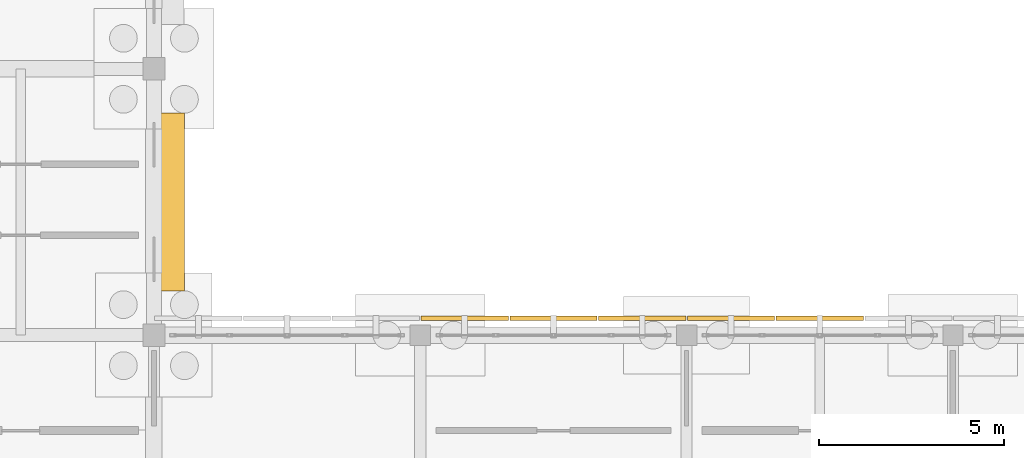
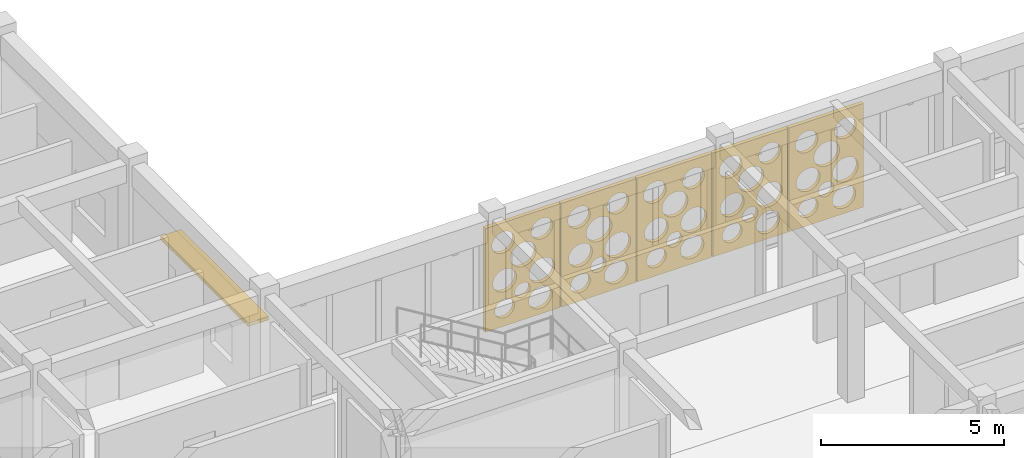
# One storey, part 103 of 111: 5 coverings, 1 shading device.
"""IFC4 building model written with IfcOpenShell, lengths in metres."""

from ifc_helpers import new_model, si_unit, direction, frame, origin, origin_2d, place, context, subcontext, project, spatial, polyline, rectangle, outline, extrude, material, layer, layer_set, type_object, element, save


model = new_model("IFC4")

# Units and contexts
model_context = context("Model", 3, precision=1e-05, world=origin(), true_north=direction((0.0, 1.0)))
body_context = subcontext(model_context, "Body", "Model", "MODEL_VIEW")
ifc_project = project(units=[si_unit("LENGTHUNIT", "METRE"), si_unit("AREAUNIT", "SQUARE_METRE"), si_unit("VOLUMEUNIT", "CUBIC_METRE"), si_unit("PLANEANGLEUNIT", "RADIAN"), si_unit("MASSUNIT", "GRAM", prefix="KILO")], contexts=[model_context])

# Site, building, storey
site_placement = place(None, origin())
site = spatial("IfcSite", under=ifc_project, at=site_placement, CompositionType="ELEMENT")
building_placement = place(site_placement, origin())
building = spatial("IfcBuilding", under=site, at=building_placement, Name="Aldebral Square Health Centre", CompositionType="ELEMENT")
storey_placement = place(building_placement, origin())
storey = spatial("IfcBuildingStorey", under=building, at=storey_placement, Name="L00", CompositionType="ELEMENT", Elevation=0.0)

# Coverings
ifc_material_1 = material(Name="Cream cantera perforated stone screen", Category="masonry")
ifc_layer = layer(ifc_material_1, 0.1201171875, Name="Cream cantera perforated stone screen", Category="masonry")
ifc_layer_set = layer_set([ifc_layer], Name="Cream cantera perforated stone screen")
covering_type = type_object("IfcCoveringType", Name="COV-SCR-120", PredefinedType="CLADDING", material=ifc_layer_set)
covering_1_placement = place(storey_placement, frame((79.179931640625, 101.260009765625, 0.0), z_axis=(0.0, 0.0, 1.0), x_axis=(-1.0, 0.0, 0.0)))
element("IfcCovering", 1, at=covering_1_placement, inside=storey, type_object=covering_type, Name="L00 V1 circular-aperture stone screen L00-V1-10-13-N.1", PredefinedType="CLADDING", context=body_context, shape_type="SweptSolid", body=[
    extrude(outline(polyline([(0.0, 0.0), (2.35986328125, 0.0), (2.35986328125, 3.469970703125), (0.0, 3.469970703125), (0.0, 0.0)]), holes=[polyline([(0.98486328125, 0.55517578125), (0.966552734375, 0.4404296875), (0.913818359375, 0.3369140625), (0.831787109375, 0.2548828125), (0.728271484375, 0.2021484375), (0.613525390625, 0.18408203125), (0.498779296875, 0.2021484375), (0.3955078125, 0.2548828125), (0.313232421875, 0.3369140625), (0.260498046875, 0.4404296875), (0.242431640625, 0.55517578125), (0.260498046875, 0.669921875), (0.313232421875, 0.7734375), (0.3955078125, 0.85546875), (0.498779296875, 0.908203125), (0.613525390625, 0.926513671875), (0.728271484375, 0.908203125), (0.831787109375, 0.85546875), (0.913818359375, 0.7734375), (0.966552734375, 0.669921875), (0.98486328125, 0.55517578125)]), polyline([(2.059326171875, 0.58984375), (2.0439453125, 0.4931640625), (1.99951171875, 0.406005859375), (1.930419921875, 0.336669921875), (1.843017578125, 0.292236328125), (1.746337890625, 0.277099609375), (1.649658203125, 0.292236328125), (1.5625, 0.336669921875), (1.4931640625, 0.406005859375), (1.44873046875, 0.4931640625), (1.43359375, 0.58984375), (1.44873046875, 0.6865234375), (1.4931640625, 0.77392578125), (1.5625, 0.843017578125), (1.649658203125, 0.887451171875), (1.746337890625, 0.90283203125), (1.843017578125, 0.887451171875), (1.930419921875, 0.843017578125), (1.99951171875, 0.77392578125), (2.0439453125, 0.6865234375), (2.059326171875, 0.58984375)]), polyline([(0.970703125, 1.45751953125), (0.950927734375, 1.33251953125), (0.8935546875, 1.2197265625), (0.803955078125, 1.13037109375), (0.69140625, 1.072998046875), (0.56640625, 1.052978515625), (0.44140625, 1.072998046875), (0.328857421875, 1.13037109375), (0.2392578125, 1.2197265625), (0.181884765625, 1.33251953125), (0.162109375, 1.45751953125), (0.181884765625, 1.582275390625), (0.2392578125, 1.695068359375), (0.328857421875, 1.784423828125), (0.44140625, 1.841796875), (0.56640625, 1.86181640625), (0.69140625, 1.841796875), (0.803955078125, 1.784423828125), (0.8935546875, 1.695068359375), (0.950927734375, 1.582275390625), (0.970703125, 1.45751953125)]), polyline([(2.124267578125, 1.52685546875), (2.105712890625, 1.41015625), (2.052001953125, 1.3046875), (1.968505859375, 1.22119140625), (1.863037109375, 1.16748046875), (1.746337890625, 1.14892578125), (1.629638671875, 1.16748046875), (1.5244140625, 1.22119140625), (1.440673828125, 1.3046875), (1.38720703125, 1.41015625), (1.36865234375, 1.52685546875), (1.38720703125, 1.6435546875), (1.440673828125, 1.748779296875), (1.5244140625, 1.83251953125), (1.629638671875, 1.88623046875), (1.746337890625, 1.904541015625), (1.863037109375, 1.88623046875), (1.968505859375, 1.83251953125), (2.052001953125, 1.748779296875), (2.105712890625, 1.6435546875), (2.124267578125, 1.52685546875)]), polyline([(1.42431640625, 1.00634765625), (1.412353515625, 0.9306640625), (1.377685546875, 0.862548828125), (1.32373046875, 0.80859375), (1.255615234375, 0.77392578125), (1.179931640625, 0.761962890625), (1.1044921875, 0.77392578125), (1.036376953125, 0.80859375), (0.982177734375, 0.862548828125), (0.947509765625, 0.9306640625), (0.935546875, 1.00634765625), (0.947509765625, 1.081787109375), (0.982177734375, 1.14990234375), (1.036376953125, 1.2041015625), (1.1044921875, 1.23876953125), (1.179931640625, 1.250732421875), (1.255615234375, 1.23876953125), (1.32373046875, 1.2041015625), (1.377685546875, 1.14990234375), (1.412353515625, 1.081787109375), (1.42431640625, 1.00634765625)]), polyline([(1.563232421875, 2.18603515625), (1.54345703125, 2.060302734375), (1.485595703125, 1.947021484375), (1.3955078125, 1.85693359375), (1.2822265625, 1.799072265625), (1.156494140625, 1.779296875), (1.03076171875, 1.799072265625), (0.917236328125, 1.85693359375), (0.8271484375, 1.947021484375), (0.76953125, 2.060302734375), (0.74951171875, 2.18603515625), (0.76953125, 2.311767578125), (0.8271484375, 2.42529296875), (0.917236328125, 2.515380859375), (1.03076171875, 2.572998046875), (1.156494140625, 2.593017578125), (1.2822265625, 2.572998046875), (1.3955078125, 2.515380859375), (1.485595703125, 2.42529296875), (1.54345703125, 2.311767578125), (1.563232421875, 2.18603515625)]), polyline([(0.9091796875, 2.845458984375), (0.892333984375, 2.739501953125), (0.84375, 2.64404296875), (0.767822265625, 2.568115234375), (0.67236328125, 2.51953125), (0.56640625, 2.502685546875), (0.46044921875, 2.51953125), (0.364990234375, 2.568115234375), (0.2890625, 2.64404296875), (0.240478515625, 2.739501953125), (0.2236328125, 2.845458984375), (0.240478515625, 2.951416015625), (0.2890625, 3.046875), (0.364990234375, 3.12255859375), (0.46044921875, 3.17138671875), (0.56640625, 3.18798828125), (0.67236328125, 3.17138671875), (0.767822265625, 3.12255859375), (0.84375, 3.046875), (0.892333984375, 2.951416015625), (0.9091796875, 2.845458984375)]), polyline([(2.1513671875, 2.810791015625), (2.1337890625, 2.7001953125), (2.0830078125, 2.600341796875), (2.00390625, 2.521240234375), (1.904052734375, 2.470458984375), (1.793701171875, 2.452880859375), (1.68310546875, 2.470458984375), (1.583251953125, 2.521240234375), (1.504150390625, 2.600341796875), (1.453369140625, 2.7001953125), (1.435791015625, 2.810791015625), (1.453369140625, 2.921142578125), (1.504150390625, 3.02099609375), (1.583251953125, 3.10009765625), (1.68310546875, 3.15087890625), (1.793701171875, 3.16845703125), (1.904052734375, 3.15087890625), (2.00390625, 3.10009765625), (2.0830078125, 3.02099609375), (2.1337890625, 2.921142578125), (2.1513671875, 2.810791015625)])]), frame((0.0, 0.06005859375, 0.0), z_axis=(0.0, -1.0, 0.0), x_axis=(1.0, 0.0, 0.0)), (0.0, 0.0, 1.0), 0.1201171875),
])
covering_2_placement = place(storey_placement, frame((76.780029296875, 101.260009765625, 0.0), z_axis=(0.0, 0.0, 1.0), x_axis=(-1.0, 0.0, 0.0)))
element("IfcCovering", 2, at=covering_2_placement, inside=storey, type_object=covering_type, Name="L00 V1 circular-aperture stone screen L00-V1-10-13-N.2", PredefinedType="CLADDING", context=body_context, shape_type="SweptSolid", body=[
    extrude(outline(polyline([(0.0, 0.0), (2.360107421875, 0.0), (2.360107421875, 3.469970703125), (0.0, 3.469970703125), (0.0, 0.0)]), holes=[polyline([(0.98486328125, 0.55517578125), (0.966552734375, 0.4404296875), (0.913818359375, 0.3369140625), (0.831787109375, 0.2548828125), (0.728271484375, 0.2021484375), (0.613525390625, 0.18408203125), (0.498779296875, 0.2021484375), (0.3955078125, 0.2548828125), (0.313232421875, 0.3369140625), (0.260498046875, 0.4404296875), (0.242431640625, 0.55517578125), (0.260498046875, 0.669921875), (0.313232421875, 0.7734375), (0.3955078125, 0.85546875), (0.498779296875, 0.908203125), (0.613525390625, 0.926513671875), (0.728271484375, 0.908203125), (0.831787109375, 0.85546875), (0.913818359375, 0.7734375), (0.966552734375, 0.669921875), (0.98486328125, 0.55517578125)]), polyline([(2.059326171875, 0.58984375), (2.0439453125, 0.4931640625), (1.99951171875, 0.406005859375), (1.930419921875, 0.336669921875), (1.843017578125, 0.292236328125), (1.746337890625, 0.277099609375), (1.649658203125, 0.292236328125), (1.5625, 0.336669921875), (1.4931640625, 0.406005859375), (1.44873046875, 0.4931640625), (1.43359375, 0.58984375), (1.44873046875, 0.6865234375), (1.4931640625, 0.77392578125), (1.5625, 0.843017578125), (1.649658203125, 0.887451171875), (1.746337890625, 0.90283203125), (1.843017578125, 0.887451171875), (1.930419921875, 0.843017578125), (1.99951171875, 0.77392578125), (2.0439453125, 0.6865234375), (2.059326171875, 0.58984375)]), polyline([(0.970703125, 1.45751953125), (0.950927734375, 1.33251953125), (0.8935546875, 1.2197265625), (0.803955078125, 1.13037109375), (0.69140625, 1.072998046875), (0.56640625, 1.052978515625), (0.44140625, 1.072998046875), (0.328857421875, 1.13037109375), (0.2392578125, 1.2197265625), (0.181884765625, 1.33251953125), (0.162109375, 1.45751953125), (0.181884765625, 1.582275390625), (0.2392578125, 1.695068359375), (0.328857421875, 1.784423828125), (0.44140625, 1.841796875), (0.56640625, 1.86181640625), (0.69140625, 1.841796875), (0.803955078125, 1.784423828125), (0.8935546875, 1.695068359375), (0.950927734375, 1.582275390625), (0.970703125, 1.45751953125)]), polyline([(2.124267578125, 1.52685546875), (2.105712890625, 1.41015625), (2.052001953125, 1.3046875), (1.968505859375, 1.22119140625), (1.863037109375, 1.16748046875), (1.746337890625, 1.14892578125), (1.629638671875, 1.16748046875), (1.5244140625, 1.22119140625), (1.440673828125, 1.3046875), (1.38720703125, 1.41015625), (1.36865234375, 1.52685546875), (1.38720703125, 1.6435546875), (1.440673828125, 1.748779296875), (1.5244140625, 1.83251953125), (1.629638671875, 1.88623046875), (1.746337890625, 1.904541015625), (1.863037109375, 1.88623046875), (1.968505859375, 1.83251953125), (2.052001953125, 1.748779296875), (2.105712890625, 1.6435546875), (2.124267578125, 1.52685546875)]), polyline([(1.42431640625, 1.00634765625), (1.412353515625, 0.9306640625), (1.377685546875, 0.862548828125), (1.32373046875, 0.80859375), (1.255615234375, 0.77392578125), (1.179931640625, 0.761962890625), (1.1044921875, 0.77392578125), (1.036376953125, 0.80859375), (0.982177734375, 0.862548828125), (0.947509765625, 0.9306640625), (0.935546875, 1.00634765625), (0.947509765625, 1.081787109375), (0.982177734375, 1.14990234375), (1.036376953125, 1.2041015625), (1.1044921875, 1.23876953125), (1.179931640625, 1.250732421875), (1.255615234375, 1.23876953125), (1.32373046875, 1.2041015625), (1.377685546875, 1.14990234375), (1.412353515625, 1.081787109375), (1.42431640625, 1.00634765625)]), polyline([(1.563232421875, 2.18603515625), (1.54345703125, 2.060302734375), (1.485595703125, 1.947021484375), (1.3955078125, 1.85693359375), (1.2822265625, 1.799072265625), (1.156494140625, 1.779296875), (1.03076171875, 1.799072265625), (0.917236328125, 1.85693359375), (0.8271484375, 1.947021484375), (0.76953125, 2.060302734375), (0.74951171875, 2.18603515625), (0.76953125, 2.311767578125), (0.8271484375, 2.42529296875), (0.917236328125, 2.515380859375), (1.03076171875, 2.572998046875), (1.156494140625, 2.593017578125), (1.2822265625, 2.572998046875), (1.3955078125, 2.515380859375), (1.485595703125, 2.42529296875), (1.54345703125, 2.311767578125), (1.563232421875, 2.18603515625)]), polyline([(0.9091796875, 2.845458984375), (0.892333984375, 2.739501953125), (0.84375, 2.64404296875), (0.767822265625, 2.568115234375), (0.67236328125, 2.51953125), (0.56640625, 2.502685546875), (0.46044921875, 2.51953125), (0.364990234375, 2.568115234375), (0.2890625, 2.64404296875), (0.240478515625, 2.739501953125), (0.2236328125, 2.845458984375), (0.240478515625, 2.951416015625), (0.2890625, 3.046875), (0.364990234375, 3.12255859375), (0.46044921875, 3.17138671875), (0.56640625, 3.18798828125), (0.67236328125, 3.17138671875), (0.767822265625, 3.12255859375), (0.84375, 3.046875), (0.892333984375, 2.951416015625), (0.9091796875, 2.845458984375)]), polyline([(2.1513671875, 2.810791015625), (2.1337890625, 2.7001953125), (2.0830078125, 2.600341796875), (2.00390625, 2.521240234375), (1.904052734375, 2.470458984375), (1.793701171875, 2.452880859375), (1.68310546875, 2.470458984375), (1.583251953125, 2.521240234375), (1.504150390625, 2.600341796875), (1.453369140625, 2.7001953125), (1.435791015625, 2.810791015625), (1.453369140625, 2.921142578125), (1.504150390625, 3.02099609375), (1.583251953125, 3.10009765625), (1.68310546875, 3.15087890625), (1.793701171875, 3.16845703125), (1.904052734375, 3.15087890625), (2.00390625, 3.10009765625), (2.0830078125, 3.02099609375), (2.1337890625, 2.921142578125), (2.1513671875, 2.810791015625)])]), frame((0.0, 0.06005859375, 0.0), z_axis=(0.0, -1.0, 0.0), x_axis=(1.0, 0.0, 0.0)), (0.0, 0.0, 1.0), 0.1201171875),
])
covering_3_placement = place(storey_placement, frame((74.3798828125, 101.260009765625, 0.0), z_axis=(0.0, 0.0, 1.0), x_axis=(-1.0, 0.0, 0.0)))
element("IfcCovering", 3, at=covering_3_placement, inside=storey, type_object=covering_type, Name="L00 V1 circular-aperture stone screen L00-V1-10-13-N.3", PredefinedType="CLADDING", context=body_context, shape_type="SweptSolid", body=[
    extrude(outline(polyline([(0.0, 0.0), (2.35986328125, 0.0), (2.35986328125, 3.469970703125), (0.0, 3.469970703125), (0.0, 0.0)]), holes=[polyline([(0.98486328125, 0.55517578125), (0.966552734375, 0.4404296875), (0.913818359375, 0.3369140625), (0.831787109375, 0.2548828125), (0.728271484375, 0.2021484375), (0.613525390625, 0.18408203125), (0.498779296875, 0.2021484375), (0.3955078125, 0.2548828125), (0.313232421875, 0.3369140625), (0.260498046875, 0.4404296875), (0.242431640625, 0.55517578125), (0.260498046875, 0.669921875), (0.313232421875, 0.7734375), (0.3955078125, 0.85546875), (0.498779296875, 0.908203125), (0.613525390625, 0.926513671875), (0.728271484375, 0.908203125), (0.831787109375, 0.85546875), (0.913818359375, 0.7734375), (0.966552734375, 0.669921875), (0.98486328125, 0.55517578125)]), polyline([(2.059326171875, 0.58984375), (2.0439453125, 0.4931640625), (1.99951171875, 0.406005859375), (1.930419921875, 0.336669921875), (1.843017578125, 0.292236328125), (1.746337890625, 0.277099609375), (1.649658203125, 0.292236328125), (1.5625, 0.336669921875), (1.4931640625, 0.406005859375), (1.44873046875, 0.4931640625), (1.43359375, 0.58984375), (1.44873046875, 0.6865234375), (1.4931640625, 0.77392578125), (1.5625, 0.843017578125), (1.649658203125, 0.887451171875), (1.746337890625, 0.90283203125), (1.843017578125, 0.887451171875), (1.930419921875, 0.843017578125), (1.99951171875, 0.77392578125), (2.0439453125, 0.6865234375), (2.059326171875, 0.58984375)]), polyline([(0.970703125, 1.45751953125), (0.950927734375, 1.33251953125), (0.8935546875, 1.2197265625), (0.803955078125, 1.13037109375), (0.69140625, 1.072998046875), (0.56640625, 1.052978515625), (0.44140625, 1.072998046875), (0.328857421875, 1.13037109375), (0.2392578125, 1.2197265625), (0.181884765625, 1.33251953125), (0.162109375, 1.45751953125), (0.181884765625, 1.582275390625), (0.2392578125, 1.695068359375), (0.328857421875, 1.784423828125), (0.44140625, 1.841796875), (0.56640625, 1.86181640625), (0.69140625, 1.841796875), (0.803955078125, 1.784423828125), (0.8935546875, 1.695068359375), (0.950927734375, 1.582275390625), (0.970703125, 1.45751953125)]), polyline([(2.124267578125, 1.52685546875), (2.105712890625, 1.41015625), (2.052001953125, 1.3046875), (1.968505859375, 1.22119140625), (1.863037109375, 1.16748046875), (1.746337890625, 1.14892578125), (1.629638671875, 1.16748046875), (1.5244140625, 1.22119140625), (1.440673828125, 1.3046875), (1.38720703125, 1.41015625), (1.36865234375, 1.52685546875), (1.38720703125, 1.6435546875), (1.440673828125, 1.748779296875), (1.5244140625, 1.83251953125), (1.629638671875, 1.88623046875), (1.746337890625, 1.904541015625), (1.863037109375, 1.88623046875), (1.968505859375, 1.83251953125), (2.052001953125, 1.748779296875), (2.105712890625, 1.6435546875), (2.124267578125, 1.52685546875)]), polyline([(1.42431640625, 1.00634765625), (1.412353515625, 0.9306640625), (1.377685546875, 0.862548828125), (1.32373046875, 0.80859375), (1.255615234375, 0.77392578125), (1.179931640625, 0.761962890625), (1.1044921875, 0.77392578125), (1.036376953125, 0.80859375), (0.982177734375, 0.862548828125), (0.947509765625, 0.9306640625), (0.935546875, 1.00634765625), (0.947509765625, 1.081787109375), (0.982177734375, 1.14990234375), (1.036376953125, 1.2041015625), (1.1044921875, 1.23876953125), (1.179931640625, 1.250732421875), (1.255615234375, 1.23876953125), (1.32373046875, 1.2041015625), (1.377685546875, 1.14990234375), (1.412353515625, 1.081787109375), (1.42431640625, 1.00634765625)]), polyline([(1.563232421875, 2.18603515625), (1.54345703125, 2.060302734375), (1.485595703125, 1.947021484375), (1.3955078125, 1.85693359375), (1.2822265625, 1.799072265625), (1.156494140625, 1.779296875), (1.03076171875, 1.799072265625), (0.917236328125, 1.85693359375), (0.8271484375, 1.947021484375), (0.76953125, 2.060302734375), (0.74951171875, 2.18603515625), (0.76953125, 2.311767578125), (0.8271484375, 2.42529296875), (0.917236328125, 2.515380859375), (1.03076171875, 2.572998046875), (1.156494140625, 2.593017578125), (1.2822265625, 2.572998046875), (1.3955078125, 2.515380859375), (1.485595703125, 2.42529296875), (1.54345703125, 2.311767578125), (1.563232421875, 2.18603515625)]), polyline([(0.9091796875, 2.845458984375), (0.892333984375, 2.739501953125), (0.84375, 2.64404296875), (0.767822265625, 2.568115234375), (0.67236328125, 2.51953125), (0.56640625, 2.502685546875), (0.46044921875, 2.51953125), (0.364990234375, 2.568115234375), (0.2890625, 2.64404296875), (0.240478515625, 2.739501953125), (0.2236328125, 2.845458984375), (0.240478515625, 2.951416015625), (0.2890625, 3.046875), (0.364990234375, 3.12255859375), (0.46044921875, 3.17138671875), (0.56640625, 3.18798828125), (0.67236328125, 3.17138671875), (0.767822265625, 3.12255859375), (0.84375, 3.046875), (0.892333984375, 2.951416015625), (0.9091796875, 2.845458984375)]), polyline([(2.1513671875, 2.810791015625), (2.1337890625, 2.7001953125), (2.0830078125, 2.600341796875), (2.00390625, 2.521240234375), (1.904052734375, 2.470458984375), (1.793701171875, 2.452880859375), (1.68310546875, 2.470458984375), (1.583251953125, 2.521240234375), (1.504150390625, 2.600341796875), (1.453369140625, 2.7001953125), (1.435791015625, 2.810791015625), (1.453369140625, 2.921142578125), (1.504150390625, 3.02099609375), (1.583251953125, 3.10009765625), (1.68310546875, 3.15087890625), (1.793701171875, 3.16845703125), (1.904052734375, 3.15087890625), (2.00390625, 3.10009765625), (2.0830078125, 3.02099609375), (2.1337890625, 2.921142578125), (2.1513671875, 2.810791015625)])]), frame((0.0, 0.06005859375, 0.0), z_axis=(0.0, -1.0, 0.0), x_axis=(1.0, 0.0, 0.0)), (0.0, 0.0, 1.0), 0.1201171875),
])
covering_4_placement = place(storey_placement, frame((83.97998046875, 101.260009765625, 0.0), z_axis=(0.0, 0.0, 1.0), x_axis=(-1.0, 0.0, 0.0)))
element("IfcCovering", 4, at=covering_4_placement, inside=storey, type_object=covering_type, Name="L00 V1 circular-aperture stone screen L00-V1-11-13-N.2", PredefinedType="CLADDING", context=body_context, shape_type="SweptSolid", body=[
    extrude(outline(polyline([(0.0, 0.0), (2.35986328125, 0.0), (2.35986328125, 3.469970703125), (0.0, 3.469970703125), (0.0, 0.0)]), holes=[polyline([(0.98486328125, 0.55517578125), (0.966552734375, 0.4404296875), (0.913818359375, 0.3369140625), (0.831787109375, 0.2548828125), (0.728271484375, 0.2021484375), (0.613525390625, 0.18408203125), (0.498779296875, 0.2021484375), (0.3955078125, 0.2548828125), (0.313232421875, 0.3369140625), (0.260498046875, 0.4404296875), (0.242431640625, 0.55517578125), (0.260498046875, 0.669921875), (0.313232421875, 0.7734375), (0.3955078125, 0.85546875), (0.498779296875, 0.908203125), (0.613525390625, 0.926513671875), (0.728271484375, 0.908203125), (0.831787109375, 0.85546875), (0.913818359375, 0.7734375), (0.966552734375, 0.669921875), (0.98486328125, 0.55517578125)]), polyline([(2.059326171875, 0.58984375), (2.0439453125, 0.4931640625), (1.99951171875, 0.406005859375), (1.930419921875, 0.336669921875), (1.843017578125, 0.292236328125), (1.746337890625, 0.277099609375), (1.649658203125, 0.292236328125), (1.5625, 0.336669921875), (1.4931640625, 0.406005859375), (1.44873046875, 0.4931640625), (1.43359375, 0.58984375), (1.44873046875, 0.6865234375), (1.4931640625, 0.77392578125), (1.5625, 0.843017578125), (1.649658203125, 0.887451171875), (1.746337890625, 0.90283203125), (1.843017578125, 0.887451171875), (1.930419921875, 0.843017578125), (1.99951171875, 0.77392578125), (2.0439453125, 0.6865234375), (2.059326171875, 0.58984375)]), polyline([(0.970703125, 1.45751953125), (0.950927734375, 1.33251953125), (0.8935546875, 1.2197265625), (0.803955078125, 1.13037109375), (0.69140625, 1.072998046875), (0.56640625, 1.052978515625), (0.44140625, 1.072998046875), (0.328857421875, 1.13037109375), (0.2392578125, 1.2197265625), (0.181884765625, 1.33251953125), (0.162109375, 1.45751953125), (0.181884765625, 1.582275390625), (0.2392578125, 1.695068359375), (0.328857421875, 1.784423828125), (0.44140625, 1.841796875), (0.56640625, 1.86181640625), (0.69140625, 1.841796875), (0.803955078125, 1.784423828125), (0.8935546875, 1.695068359375), (0.950927734375, 1.582275390625), (0.970703125, 1.45751953125)]), polyline([(2.124267578125, 1.52685546875), (2.105712890625, 1.41015625), (2.052001953125, 1.3046875), (1.968505859375, 1.22119140625), (1.863037109375, 1.16748046875), (1.746337890625, 1.14892578125), (1.629638671875, 1.16748046875), (1.5244140625, 1.22119140625), (1.440673828125, 1.3046875), (1.38720703125, 1.41015625), (1.36865234375, 1.52685546875), (1.38720703125, 1.6435546875), (1.440673828125, 1.748779296875), (1.5244140625, 1.83251953125), (1.629638671875, 1.88623046875), (1.746337890625, 1.904541015625), (1.863037109375, 1.88623046875), (1.968505859375, 1.83251953125), (2.052001953125, 1.748779296875), (2.105712890625, 1.6435546875), (2.124267578125, 1.52685546875)]), polyline([(1.42431640625, 1.00634765625), (1.412353515625, 0.9306640625), (1.377685546875, 0.862548828125), (1.32373046875, 0.80859375), (1.255615234375, 0.77392578125), (1.179931640625, 0.761962890625), (1.1044921875, 0.77392578125), (1.036376953125, 0.80859375), (0.982177734375, 0.862548828125), (0.947509765625, 0.9306640625), (0.935546875, 1.00634765625), (0.947509765625, 1.081787109375), (0.982177734375, 1.14990234375), (1.036376953125, 1.2041015625), (1.1044921875, 1.23876953125), (1.179931640625, 1.250732421875), (1.255615234375, 1.23876953125), (1.32373046875, 1.2041015625), (1.377685546875, 1.14990234375), (1.412353515625, 1.081787109375), (1.42431640625, 1.00634765625)]), polyline([(1.563232421875, 2.18603515625), (1.54345703125, 2.060302734375), (1.485595703125, 1.947021484375), (1.3955078125, 1.85693359375), (1.2822265625, 1.799072265625), (1.156494140625, 1.779296875), (1.03076171875, 1.799072265625), (0.917236328125, 1.85693359375), (0.8271484375, 1.947021484375), (0.76953125, 2.060302734375), (0.74951171875, 2.18603515625), (0.76953125, 2.311767578125), (0.8271484375, 2.42529296875), (0.917236328125, 2.515380859375), (1.03076171875, 2.572998046875), (1.156494140625, 2.593017578125), (1.2822265625, 2.572998046875), (1.3955078125, 2.515380859375), (1.485595703125, 2.42529296875), (1.54345703125, 2.311767578125), (1.563232421875, 2.18603515625)]), polyline([(0.9091796875, 2.845458984375), (0.892333984375, 2.739501953125), (0.84375, 2.64404296875), (0.767822265625, 2.568115234375), (0.67236328125, 2.51953125), (0.56640625, 2.502685546875), (0.46044921875, 2.51953125), (0.364990234375, 2.568115234375), (0.2890625, 2.64404296875), (0.240478515625, 2.739501953125), (0.2236328125, 2.845458984375), (0.240478515625, 2.951416015625), (0.2890625, 3.046875), (0.364990234375, 3.12255859375), (0.46044921875, 3.17138671875), (0.56640625, 3.18798828125), (0.67236328125, 3.17138671875), (0.767822265625, 3.12255859375), (0.84375, 3.046875), (0.892333984375, 2.951416015625), (0.9091796875, 2.845458984375)]), polyline([(2.1513671875, 2.810791015625), (2.1337890625, 2.7001953125), (2.0830078125, 2.600341796875), (2.00390625, 2.521240234375), (1.904052734375, 2.470458984375), (1.793701171875, 2.452880859375), (1.68310546875, 2.470458984375), (1.583251953125, 2.521240234375), (1.504150390625, 2.600341796875), (1.453369140625, 2.7001953125), (1.435791015625, 2.810791015625), (1.453369140625, 2.921142578125), (1.504150390625, 3.02099609375), (1.583251953125, 3.10009765625), (1.68310546875, 3.15087890625), (1.793701171875, 3.16845703125), (1.904052734375, 3.15087890625), (2.00390625, 3.10009765625), (2.0830078125, 3.02099609375), (2.1337890625, 2.921142578125), (2.1513671875, 2.810791015625)])]), frame((0.0, 0.06005859375, 0.0), z_axis=(0.0, -1.0, 0.0), x_axis=(1.0, 0.0, 0.0)), (0.0, 0.0, 1.0), 0.1201171875),
])
covering_5_placement = place(storey_placement, frame((81.580078125, 101.260009765625, 0.0), z_axis=(0.0, 0.0, 1.0), x_axis=(-1.0, 0.0, 0.0)))
element("IfcCovering", 5, at=covering_5_placement, inside=storey, type_object=covering_type, Name="L00 V1 circular-aperture stone screen L00-V1-11-13-N.3", PredefinedType="CLADDING", context=body_context, shape_type="SweptSolid", body=[
    extrude(outline(polyline([(0.0, 0.0), (2.360107421875, 0.0), (2.360107421875, 3.469970703125), (0.0, 3.469970703125), (0.0, 0.0)]), holes=[polyline([(0.98486328125, 0.55517578125), (0.966552734375, 0.4404296875), (0.913818359375, 0.3369140625), (0.831787109375, 0.2548828125), (0.728271484375, 0.2021484375), (0.613525390625, 0.18408203125), (0.498779296875, 0.2021484375), (0.3955078125, 0.2548828125), (0.313232421875, 0.3369140625), (0.260498046875, 0.4404296875), (0.242431640625, 0.55517578125), (0.260498046875, 0.669921875), (0.313232421875, 0.7734375), (0.3955078125, 0.85546875), (0.498779296875, 0.908203125), (0.613525390625, 0.926513671875), (0.728271484375, 0.908203125), (0.831787109375, 0.85546875), (0.913818359375, 0.7734375), (0.966552734375, 0.669921875), (0.98486328125, 0.55517578125)]), polyline([(2.059326171875, 0.58984375), (2.0439453125, 0.4931640625), (1.99951171875, 0.406005859375), (1.930419921875, 0.336669921875), (1.843017578125, 0.292236328125), (1.746337890625, 0.277099609375), (1.649658203125, 0.292236328125), (1.5625, 0.336669921875), (1.4931640625, 0.406005859375), (1.44873046875, 0.4931640625), (1.43359375, 0.58984375), (1.44873046875, 0.6865234375), (1.4931640625, 0.77392578125), (1.5625, 0.843017578125), (1.649658203125, 0.887451171875), (1.746337890625, 0.90283203125), (1.843017578125, 0.887451171875), (1.930419921875, 0.843017578125), (1.99951171875, 0.77392578125), (2.0439453125, 0.6865234375), (2.059326171875, 0.58984375)]), polyline([(0.970703125, 1.45751953125), (0.950927734375, 1.33251953125), (0.8935546875, 1.2197265625), (0.803955078125, 1.13037109375), (0.69140625, 1.072998046875), (0.56640625, 1.052978515625), (0.44140625, 1.072998046875), (0.328857421875, 1.13037109375), (0.2392578125, 1.2197265625), (0.181884765625, 1.33251953125), (0.162109375, 1.45751953125), (0.181884765625, 1.582275390625), (0.2392578125, 1.695068359375), (0.328857421875, 1.784423828125), (0.44140625, 1.841796875), (0.56640625, 1.86181640625), (0.69140625, 1.841796875), (0.803955078125, 1.784423828125), (0.8935546875, 1.695068359375), (0.950927734375, 1.582275390625), (0.970703125, 1.45751953125)]), polyline([(2.124267578125, 1.52685546875), (2.105712890625, 1.41015625), (2.052001953125, 1.3046875), (1.968505859375, 1.22119140625), (1.863037109375, 1.16748046875), (1.746337890625, 1.14892578125), (1.629638671875, 1.16748046875), (1.5244140625, 1.22119140625), (1.440673828125, 1.3046875), (1.38720703125, 1.41015625), (1.36865234375, 1.52685546875), (1.38720703125, 1.6435546875), (1.440673828125, 1.748779296875), (1.5244140625, 1.83251953125), (1.629638671875, 1.88623046875), (1.746337890625, 1.904541015625), (1.863037109375, 1.88623046875), (1.968505859375, 1.83251953125), (2.052001953125, 1.748779296875), (2.105712890625, 1.6435546875), (2.124267578125, 1.52685546875)]), polyline([(1.42431640625, 1.00634765625), (1.412353515625, 0.9306640625), (1.377685546875, 0.862548828125), (1.32373046875, 0.80859375), (1.255615234375, 0.77392578125), (1.179931640625, 0.761962890625), (1.1044921875, 0.77392578125), (1.036376953125, 0.80859375), (0.982177734375, 0.862548828125), (0.947509765625, 0.9306640625), (0.935546875, 1.00634765625), (0.947509765625, 1.081787109375), (0.982177734375, 1.14990234375), (1.036376953125, 1.2041015625), (1.1044921875, 1.23876953125), (1.179931640625, 1.250732421875), (1.255615234375, 1.23876953125), (1.32373046875, 1.2041015625), (1.377685546875, 1.14990234375), (1.412353515625, 1.081787109375), (1.42431640625, 1.00634765625)]), polyline([(1.563232421875, 2.18603515625), (1.54345703125, 2.060302734375), (1.485595703125, 1.947021484375), (1.3955078125, 1.85693359375), (1.2822265625, 1.799072265625), (1.156494140625, 1.779296875), (1.03076171875, 1.799072265625), (0.917236328125, 1.85693359375), (0.8271484375, 1.947021484375), (0.76953125, 2.060302734375), (0.74951171875, 2.18603515625), (0.76953125, 2.311767578125), (0.8271484375, 2.42529296875), (0.917236328125, 2.515380859375), (1.03076171875, 2.572998046875), (1.156494140625, 2.593017578125), (1.2822265625, 2.572998046875), (1.3955078125, 2.515380859375), (1.485595703125, 2.42529296875), (1.54345703125, 2.311767578125), (1.563232421875, 2.18603515625)]), polyline([(0.9091796875, 2.845458984375), (0.892333984375, 2.739501953125), (0.84375, 2.64404296875), (0.767822265625, 2.568115234375), (0.67236328125, 2.51953125), (0.56640625, 2.502685546875), (0.46044921875, 2.51953125), (0.364990234375, 2.568115234375), (0.2890625, 2.64404296875), (0.240478515625, 2.739501953125), (0.2236328125, 2.845458984375), (0.240478515625, 2.951416015625), (0.2890625, 3.046875), (0.364990234375, 3.12255859375), (0.46044921875, 3.17138671875), (0.56640625, 3.18798828125), (0.67236328125, 3.17138671875), (0.767822265625, 3.12255859375), (0.84375, 3.046875), (0.892333984375, 2.951416015625), (0.9091796875, 2.845458984375)]), polyline([(2.1513671875, 2.810791015625), (2.1337890625, 2.7001953125), (2.0830078125, 2.600341796875), (2.00390625, 2.521240234375), (1.904052734375, 2.470458984375), (1.793701171875, 2.452880859375), (1.68310546875, 2.470458984375), (1.583251953125, 2.521240234375), (1.504150390625, 2.600341796875), (1.453369140625, 2.7001953125), (1.435791015625, 2.810791015625), (1.453369140625, 2.921142578125), (1.504150390625, 3.02099609375), (1.583251953125, 3.10009765625), (1.68310546875, 3.15087890625), (1.793701171875, 3.16845703125), (1.904052734375, 3.15087890625), (2.00390625, 3.10009765625), (2.0830078125, 3.02099609375), (2.1337890625, 2.921142578125), (2.1513671875, 2.810791015625)])]), frame((0.0, 0.06005859375, 0.0), z_axis=(0.0, -1.0, 0.0), x_axis=(1.0, 0.0, 0.0)), (0.0, 0.0, 1.0), 0.1201171875),
])

# Shading device
ifc_material_2 = material(Name="Sienna-terracotta solar hood", Category="masonry")
shading_device_type = type_object("IfcShadingDeviceType", Name="SHD-LVR-1", PredefinedType="JALOUSIE", material=ifc_material_2)
shading_device_placement = place(storey_placement, frame((65.304931640625, 104.39990234375, 2.169921875), z_axis=(0.0, 0.0, 1.0), x_axis=(0.0, 1.0, 0.0)))
element("IfcShadingDevice", 6, at=shading_device_placement, inside=storey, type_object=shading_device_type, Name="L00 solar hood L00-V2-08-14-E", PredefinedType="JALOUSIE", context=body_context, shape_type="SweptSolid", body=[
    extrude(rectangle(XDim=4.800048828125, YDim=0.64990234375, at=origin_2d()), origin(), (0.0, 0.0, 1.0), 0.1201171875),
])

save(model, "model.ifc")
